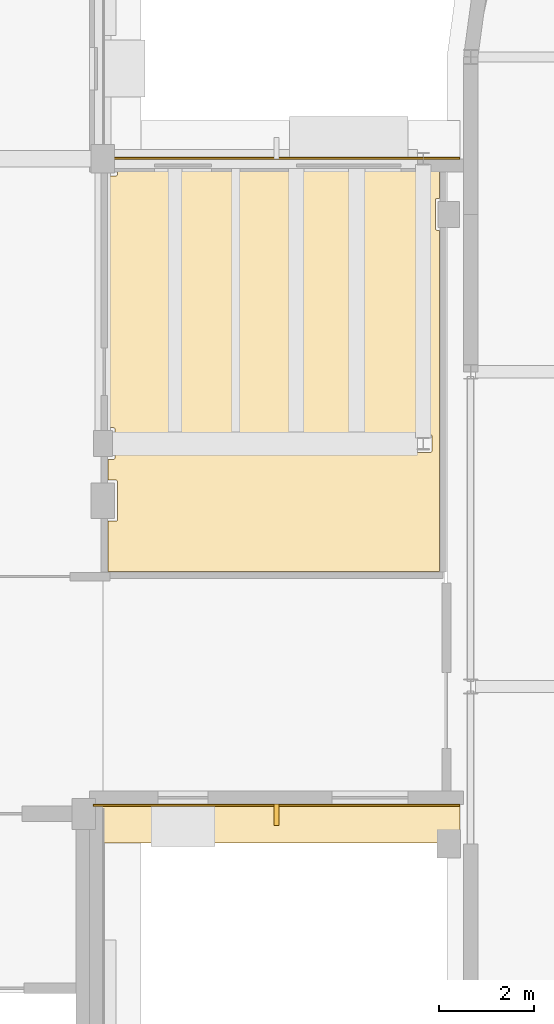
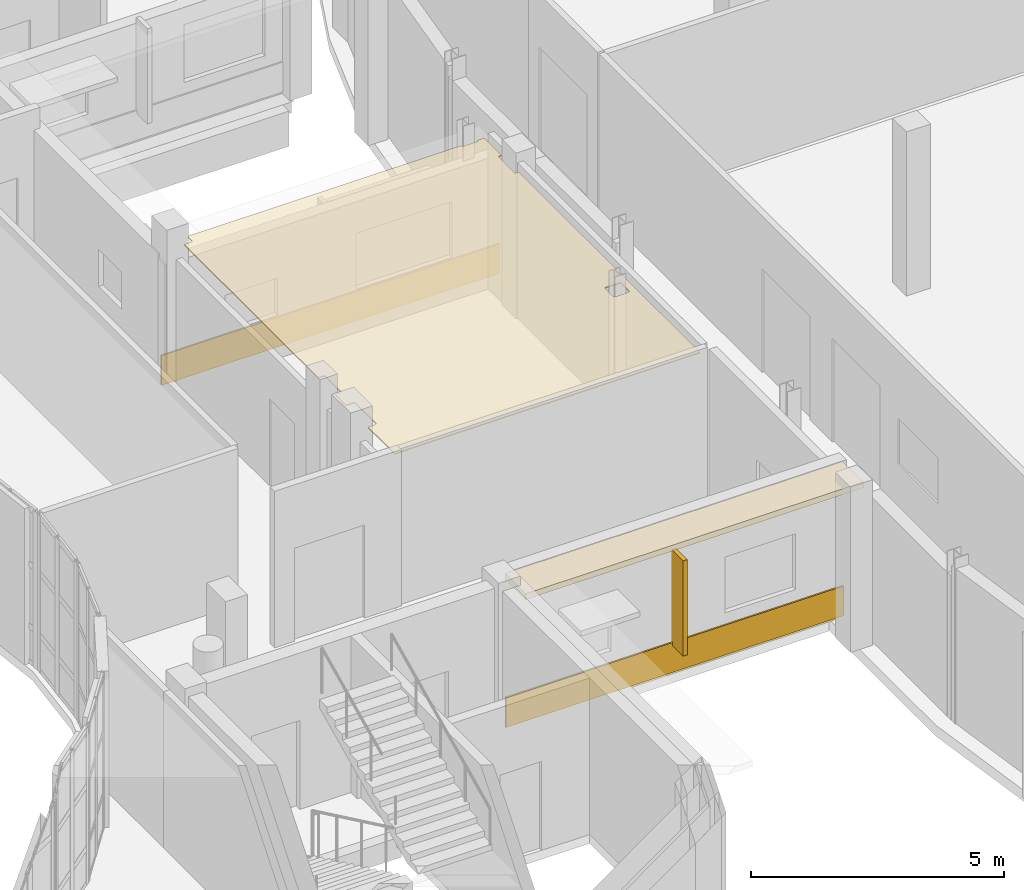
# One storey, part 97 of 105: 4 coverings, 1 shading device.
"""IFC4 building model written with IfcOpenShell, lengths in metres."""

from ifc_helpers import new_model, si_unit, direction, frame, origin, origin_2d, place, context, subcontext, project, spatial, polyline, rectangle, outline, extrude, material, layer, layer_set, type_object, element, save


model = new_model("IFC4")

# Units and contexts
model_context = context("Model", 3, precision=1e-05, world=origin(), true_north=direction((0.0, 1.0)))
body_context = subcontext(model_context, "Body", "Model", "MODEL_VIEW")
ifc_project = project(units=[si_unit("LENGTHUNIT", "METRE"), si_unit("AREAUNIT", "SQUARE_METRE"), si_unit("VOLUMEUNIT", "CUBIC_METRE"), si_unit("PLANEANGLEUNIT", "RADIAN"), si_unit("MASSUNIT", "GRAM", prefix="KILO")], contexts=[model_context])

# Site, building, storey
site_placement = place(None, origin())
site = spatial("IfcSite", under=ifc_project, at=site_placement, CompositionType="ELEMENT")
building_placement = place(site_placement, origin())
building = spatial("IfcBuilding", under=site, at=building_placement, Name="Kelanivale Promenade Academy", CompositionType="ELEMENT")
storey_placement = place(building_placement, frame((0.0, 0.0, 4.199951171875)))
storey = spatial("IfcBuildingStorey", under=building, at=storey_placement, Name="L01", CompositionType="ELEMENT", Elevation=4.199951171875)

# Coverings
ifc_material_1 = material(Name="Warm ivory Art Deco stucco frieze band 40 mm", Category="masonry")
ifc_layer_1 = layer(ifc_material_1, 0.0400390625)
ifc_layer_set_1 = layer_set([ifc_layer_1], Name="Warm ivory Art Deco stucco frieze band 40 mm")
covering_type_1 = type_object("IfcCoveringType", Name="COV-CLD2 Warm ivory Art Deco stucco frieze ba", PredefinedType="CLADDING", material=ifc_layer_set_1)
covering_1_placement = place(storey_placement, frame((119.260009765625, 50.0, 3.6201171875), z_axis=(0.0, 0.0, 1.0), x_axis=(1.0, 0.0, 0.0)))
element("IfcCovering", 1, at=covering_1_placement, inside=storey, type_object=covering_type_1, Name="Art Deco projecting 820 mm streamline sunshade eyebrow ledge", PredefinedType="CLADDING", context=body_context, shape_type="SweptSolid", body=[
    extrude(rectangle(XDim=7.719970703125, YDim=0.820068359375, at=origin_2d()), origin(), (0.0, 0.0, 1.0), 0.139892578125),
])
for number, where, z_axis, x_axis, name in (
    (2, (119.260009765625, 50.385009765625, 0.06005859375), (0.0, 0.0, 1.0), (1.0, 0.0, 0.0), "Art Deco ivory stucco sill frieze band"),
    (3, (119.260009765625, 64.014892578125, 0.06005859375), (0.0, 0.0, 1.0), (-1.0, 0.0, 0.0), "Art Deco ivory stucco sill frieze band"),
):
    element("IfcCovering", number, at=place(storey_placement, frame(where, z_axis=z_axis, x_axis=x_axis)), inside=storey, type_object=covering_type_1, Name=name, PredefinedType="CLADDING", context=body_context, shape_type="SweptSolid", body=[
        extrude(rectangle(XDim=7.719970703125, YDim=0.0400390625, at=origin_2d()), origin(), (0.0, 0.0, 1.0), 0.719970703125),
    ])
ifc_material_2 = material(Name="Acoustic mineral-fibre ceiling tile 25 mm", Category="gypsum")
ifc_layer_2 = layer(ifc_material_2, 0.02490234375)
ifc_layer_set_2 = layer_set([ifc_layer_2], Name="Acoustic mineral-fibre ceiling tile 25 mm")
covering_type_2 = type_object("IfcCoveringType", Name="COV-CLG1 Acoustic mineral-fibre ceiling tile ", PredefinedType="CEILING", material=ifc_layer_set_2)
covering_2_placement = place(storey_placement, frame((0.0, 0.0, 3.550048828125)))
element("IfcCovering", 4, at=covering_2_placement, inside=storey, type_object=covering_type_2, Name="Backstage Green Studio acoustic suspended ceiling", PredefinedType="CEILING", context=body_context, shape_type="SweptSolid", body=[
    extrude(outline(polyline([(115.7099609375, 55.31005859375), (122.68994140625, 55.31005859375), (122.68994140625, 62.493896484375), (122.64501953125, 62.493896484375), (122.64111328125, 62.493896484375), (122.636962890625, 62.4951171875), (122.633056640625, 62.49609375), (122.6298828125, 62.4970703125), (122.6259765625, 62.4990234375), (122.623046875, 62.5009765625), (122.6201171875, 62.5029296875), (122.616943359375, 62.506103515625), (122.614013671875, 62.509033203125), (122.612060546875, 62.511962890625), (122.610107421875, 62.514892578125), (122.60791015625, 62.51904296875), (122.60693359375, 62.52197265625), (122.60595703125, 62.52587890625), (122.60498046875, 62.530029296875), (122.60498046875, 62.533935546875), (122.60498046875, 63.1240234375), (122.60498046875, 63.1279296875), (122.60595703125, 63.132080078125), (122.60693359375, 63.135986328125), (122.60791015625, 63.138916015625), (122.610107421875, 63.14306640625), (122.612060546875, 63.14599609375), (122.614013671875, 63.14892578125), (122.616943359375, 63.152099609375), (122.6201171875, 63.155029296875), (122.623046875, 63.156982421875), (122.6259765625, 63.158935546875), (122.6298828125, 63.160888671875), (122.633056640625, 63.162109375), (122.636962890625, 63.1630859375), (122.64111328125, 63.1640625), (122.64501953125, 63.1640625), (122.68994140625, 63.1640625), (122.68994140625, 63.85009765625), (122.537109375, 63.85009765625), (122.537109375, 63.84912109375), (122.537109375, 63.844970703125), (122.535888671875, 63.841064453125), (122.533935546875, 63.837890625), (122.532958984375, 63.833984375), (122.531005859375, 63.8310546875), (122.528076171875, 63.827880859375), (122.52587890625, 63.824951171875), (122.52294921875, 63.822021484375), (122.52001953125, 63.820068359375), (122.51611328125, 63.818115234375), (122.512939453125, 63.81591796875), (122.509033203125, 63.81494140625), (122.5048828125, 63.81396484375), (122.5009765625, 63.81298828125), (122.4970703125, 63.81298828125), (122.202880859375, 63.81298828125), (122.198974609375, 63.81298828125), (122.195068359375, 63.81396484375), (122.19091796875, 63.81494140625), (122.18701171875, 63.81591796875), (122.18408203125, 63.818115234375), (122.179931640625, 63.820068359375), (122.177001953125, 63.822021484375), (122.174072265625, 63.824951171875), (122.172119140625, 63.827880859375), (122.1689453125, 63.8310546875), (122.1669921875, 63.833984375), (122.166015625, 63.837890625), (122.1640625, 63.841064453125), (122.1630859375, 63.844970703125), (122.1630859375, 63.84912109375), (122.1630859375, 63.85009765625), (115.909912109375, 63.85009765625), (115.909912109375, 63.679931640625), (115.909912109375, 63.676025390625), (115.908935546875, 63.672119140625), (115.907958984375, 63.66796875), (115.906982421875, 63.6650390625), (115.905029296875, 63.660888671875), (115.903076171875, 63.657958984375), (115.90087890625, 63.655029296875), (115.89794921875, 63.652099609375), (115.89501953125, 63.64892578125), (115.89208984375, 63.64697265625), (115.888916015625, 63.64501953125), (115.885009765625, 63.64306640625), (115.882080078125, 63.64208984375), (115.8779296875, 63.64111328125), (115.8740234375, 63.639892578125), (115.8701171875, 63.639892578125), (115.7099609375, 63.639892578125), (115.7099609375, 58.3349609375), (115.820068359375, 58.3349609375), (115.823974609375, 58.3349609375), (115.827880859375, 58.333984375), (115.83203125, 58.3330078125), (115.8349609375, 58.33203125), (115.839111328125, 58.330078125), (115.842041015625, 58.327880859375), (115.844970703125, 58.325927734375), (115.847900390625, 58.322998046875), (115.85107421875, 58.320068359375), (115.85302734375, 58.31689453125), (115.85498046875, 58.31396484375), (115.85693359375, 58.31005859375), (115.85791015625, 58.306884765625), (115.85888671875, 58.302978515625), (115.860107421875, 58.299072265625), (115.860107421875, 58.294921875), (115.860107421875, 57.705078125), (115.860107421875, 57.700927734375), (115.85888671875, 57.697021484375), (115.85791015625, 57.693115234375), (115.85693359375, 57.68994140625), (115.85498046875, 57.68603515625), (115.85302734375, 57.68310546875), (115.85107421875, 57.679931640625), (115.847900390625, 57.677001953125), (115.844970703125, 57.674072265625), (115.842041015625, 57.672119140625), (115.839111328125, 57.669921875), (115.8349609375, 57.66796875), (115.83203125, 57.6669921875), (115.827880859375, 57.666015625), (115.823974609375, 57.6650390625), (115.820068359375, 57.6650390625), (115.7099609375, 57.6650390625), (115.7099609375, 57.235107421875), (115.8701171875, 57.235107421875), (115.8740234375, 57.235107421875), (115.8779296875, 57.23388671875), (115.882080078125, 57.23291015625), (115.885009765625, 57.23193359375), (115.888916015625, 57.22998046875), (115.89208984375, 57.22802734375), (115.89501953125, 57.22607421875), (115.89794921875, 57.222900390625), (115.90087890625, 57.219970703125), (115.903076171875, 57.217041015625), (115.905029296875, 57.214111328125), (115.906982421875, 57.2099609375), (115.907958984375, 57.20703125), (115.908935546875, 57.202880859375), (115.909912109375, 57.198974609375), (115.909912109375, 57.195068359375), (115.909912109375, 56.405029296875), (115.909912109375, 56.40087890625), (115.908935546875, 56.39697265625), (115.907958984375, 56.39306640625), (115.906982421875, 56.389892578125), (115.905029296875, 56.385986328125), (115.903076171875, 56.383056640625), (115.90087890625, 56.3798828125), (115.89794921875, 56.376953125), (115.89501953125, 56.3740234375), (115.89208984375, 56.3720703125), (115.888916015625, 56.3701171875), (115.885009765625, 56.367919921875), (115.882080078125, 56.366943359375), (115.8779296875, 56.365966796875), (115.8740234375, 56.364990234375), (115.8701171875, 56.364990234375), (115.7099609375, 56.364990234375), (115.7099609375, 55.31005859375)]), holes=[polyline([(122.537109375, 57.85302734375), (122.537109375, 57.84912109375), (122.537109375, 57.844970703125), (122.535888671875, 57.841064453125), (122.533935546875, 57.837890625), (122.532958984375, 57.833984375), (122.531005859375, 57.8310546875), (122.528076171875, 57.827880859375), (122.52587890625, 57.824951171875), (122.52294921875, 57.822021484375), (122.52001953125, 57.820068359375), (122.51611328125, 57.818115234375), (122.512939453125, 57.81591796875), (122.509033203125, 57.81494140625), (122.5048828125, 57.81396484375), (122.5009765625, 57.81298828125), (122.4970703125, 57.81298828125), (122.202880859375, 57.81298828125), (122.198974609375, 57.81298828125), (122.195068359375, 57.81396484375), (122.19091796875, 57.81494140625), (122.18701171875, 57.81591796875), (122.18408203125, 57.818115234375), (122.179931640625, 57.820068359375), (122.177001953125, 57.822021484375), (122.174072265625, 57.824951171875), (122.172119140625, 57.827880859375), (122.1689453125, 57.8310546875), (122.1669921875, 57.833984375), (122.166015625, 57.837890625), (122.1640625, 57.841064453125), (122.1630859375, 57.844970703125), (122.1630859375, 57.84912109375), (122.1630859375, 57.85302734375), (122.1630859375, 58.14697265625), (122.1630859375, 58.15087890625), (122.1630859375, 58.155029296875), (122.1640625, 58.158935546875), (122.166015625, 58.162109375), (122.1669921875, 58.166015625), (122.1689453125, 58.1689453125), (122.172119140625, 58.172119140625), (122.174072265625, 58.175048828125), (122.177001953125, 58.177978515625), (122.179931640625, 58.179931640625), (122.18408203125, 58.181884765625), (122.18701171875, 58.18408203125), (122.19091796875, 58.18505859375), (122.195068359375, 58.18603515625), (122.198974609375, 58.18701171875), (122.202880859375, 58.18701171875), (122.4970703125, 58.18701171875), (122.5009765625, 58.18701171875), (122.5048828125, 58.18603515625), (122.509033203125, 58.18505859375), (122.512939453125, 58.18408203125), (122.51611328125, 58.181884765625), (122.52001953125, 58.179931640625), (122.52294921875, 58.177978515625), (122.52587890625, 58.175048828125), (122.528076171875, 58.172119140625), (122.531005859375, 58.1689453125), (122.532958984375, 58.166015625), (122.533935546875, 58.162109375), (122.535888671875, 58.158935546875), (122.537109375, 58.155029296875), (122.537109375, 58.15087890625), (122.537109375, 58.14697265625), (122.537109375, 57.85302734375)])]), origin(), (0.0, 0.0, 1.0), 0.02490234375),
])

# Shading device
ifc_material_3 = material(Name="Bronze anodised aluminium EN AW-6063 T6", Category="aluminium")
ifc_layer_3 = layer(ifc_material_3, 0.10009765625)
ifc_layer_set_3 = layer_set([ifc_layer_3], Name="Bronze anodised aluminium EN AW-6063 T6")
shading_device_type = type_object("IfcShadingDeviceType", Name="SHD-03 Vertical Fluted Solar Fin", PredefinedType="USERDEFINED", material=ifc_layer_set_3)
shading_device_placement = place(storey_placement, frame((119.260009765625, 50.179931640625, 0.7001953125), z_axis=(0.0, 0.0, 1.0), x_axis=(1.0, 0.0, 0.0)))
element("IfcShadingDevice", 5, at=shading_device_placement, inside=storey, type_object=shading_device_type, Name="Vertical fluted Art Deco solar fin", ObjectType="SOLAR FIN", PredefinedType="USERDEFINED", context=body_context, shape_type="SweptSolid", body=[
    extrude(rectangle(XDim=0.10009765625, YDim=0.449951171875, at=origin_2d()), origin(), (0.0, 0.0, 1.0), 2.300048828125),
])

save(model, "model.ifc")
